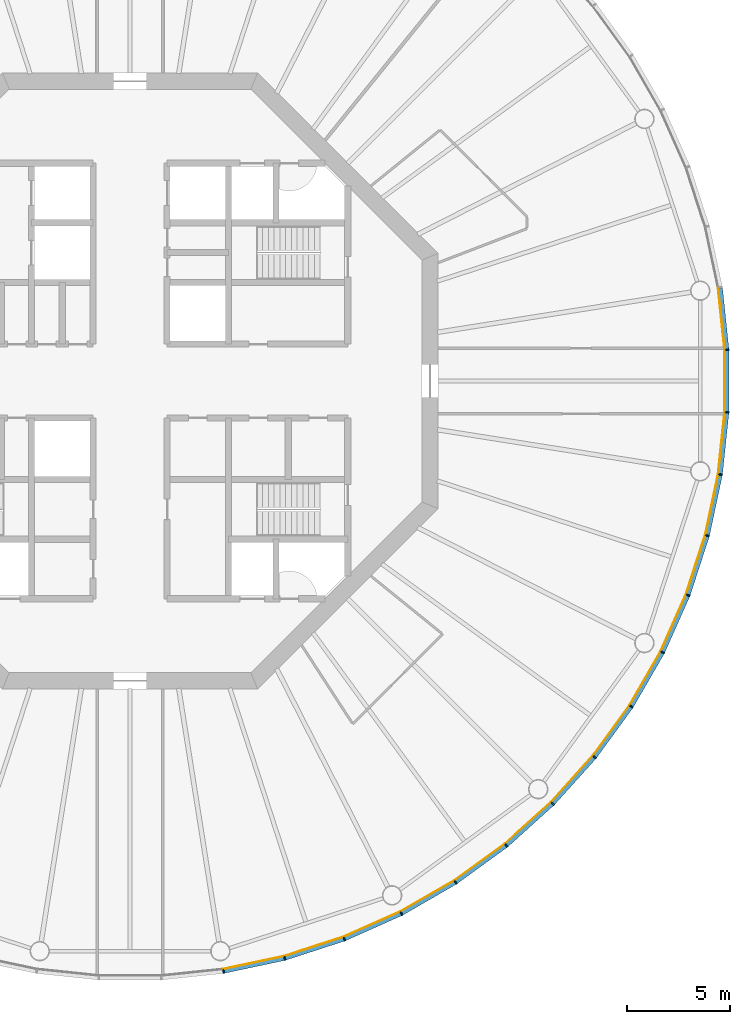
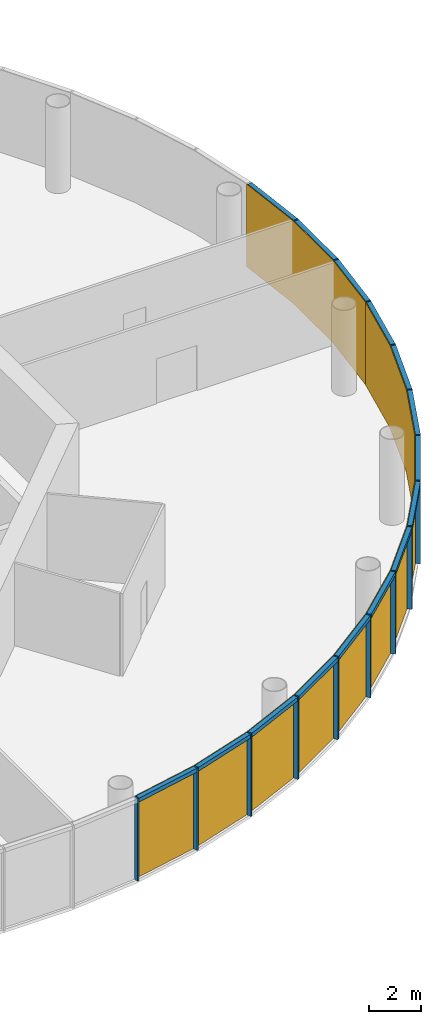
# One storey, part 9 of 13: 30 members, 5 curtain walls.
"""IFC4 building model written with IfcOpenShell, lengths in metres."""

from ifc_helpers import new_model, si_unit, direction, frame, origin, origin_2d, place, context, subcontext, project, spatial, polyline, rectangle, outline, extrude, material, layer, layer_set, material_profile, profile_set, type_object, element, aggregate, save


model = new_model("IFC4")

# Units and contexts
model_context = context("Model", 3, precision=1e-05, world=origin(), true_north=direction((0.0, 1.0)))
body_context = subcontext(model_context, "Body", "Model", "MODEL_VIEW")
ifc_project = project(units=[si_unit("LENGTHUNIT", "METRE"), si_unit("AREAUNIT", "SQUARE_METRE"), si_unit("VOLUMEUNIT", "CUBIC_METRE"), si_unit("PLANEANGLEUNIT", "RADIAN"), si_unit("MASSUNIT", "GRAM", prefix="KILO")], contexts=[model_context])

# Member
ifc_material_1 = material(Name="Anodised aluminium", Category="aluminium")
ifc_material_profile_1 = material_profile(ifc_material_1, rectangle(XDim=0.06494140625, YDim=0.195068359375, at=origin_2d()), Name="Mullion 65 x 195 mm anodised aluminium")
ifc_profile_set_1 = profile_set([ifc_material_profile_1], Name="Anodised aluminium")
member_type_1 = type_object("IfcMemberType", Name="Mullion 65 x 195 mm anodised aluminium", PredefinedType="MULLION", material=ifc_profile_set_1)
site_placement = place(None, origin())
building_placement = place(site_placement, origin())
storey_placement = place(building_placement, frame((0.0, 0.0, 282.0)))
member_1_placement = place(storey_placement, frame((94.5517578125, 51.2607421875, 0.0), z_axis=(0.0, 0.0, 1.0), x_axis=(0.987688340595, 0.15643446504, 0.0)))
member_1 = element("IfcMember", 1, at=member_1_placement, type_object=member_type_1, Name="MULLION L64-45", PredefinedType="MULLION", context=body_context, shape_type="SweptSolid", body=[
    extrude(rectangle(XDim=0.06494140625, YDim=0.195068359375, at=origin_2d()), origin(), (0.0, 0.0, 1.0), 3.85009765625),
])

member_2_placement = place(storey_placement, frame((97.531005859375, 51.89404296875, 0.0), z_axis=(0.0, 0.0, 1.0), x_axis=(0.965925826289, 0.258819045103, 0.0)))
member_2 = element("IfcMember", 2, at=member_2_placement, type_object=member_type_1, Name="MULLION L64-46", PredefinedType="MULLION", context=body_context, shape_type="SweptSolid", body=[
    extrude(rectangle(XDim=0.06494140625, YDim=0.195068359375, at=origin_2d()), origin(), (0.0, 0.0, 1.0), 3.85009765625),
])

member_3_placement = place(storey_placement, frame((100.427490234375, 52.835205078125, 0.0), z_axis=(0.0, 0.0, 1.0), x_axis=(0.933580426497, 0.358367949545, 0.0)))
member_3 = element("IfcMember", 3, at=member_3_placement, type_object=member_type_1, Name="MULLION L64-47", PredefinedType="MULLION", context=body_context, shape_type="SweptSolid", body=[
    extrude(rectangle(XDim=0.06494140625, YDim=0.195068359375, at=origin_2d()), origin(), (0.0, 0.0, 1.0), 3.85009765625),
])

member_4_placement = place(storey_placement, frame((103.2099609375, 54.073974609375, 0.0), z_axis=(0.0, 0.0, 1.0), x_axis=(0.891006524188, 0.45399049974, 0.0)))
member_4 = element("IfcMember", 4, at=member_4_placement, type_object=member_type_1, Name="MULLION L64-48", PredefinedType="MULLION", context=body_context, shape_type="SweptSolid", body=[
    extrude(rectangle(XDim=0.06494140625, YDim=0.195068359375, at=origin_2d()), origin(), (0.0, 0.0, 1.0), 3.85009765625),
])

member_5_placement = place(storey_placement, frame((105.84765625, 55.5966796875, 0.0), z_axis=(0.0, 0.0, 1.0), x_axis=(0.838670567945, 0.544639035015, 0.0)))
member_5 = element("IfcMember", 5, at=member_5_placement, type_object=member_type_1, Name="MULLION L64-49", PredefinedType="MULLION", context=body_context, shape_type="SweptSolid", body=[
    extrude(rectangle(XDim=0.06494140625, YDim=0.195068359375, at=origin_2d()), origin(), (0.0, 0.0, 1.0), 3.85009765625),
])

member_6_placement = place(storey_placement, frame((108.311767578125, 57.386962890625, 0.0), z_axis=(0.0, 0.0, 1.0), x_axis=(0.777145961457, 0.62932039105, 0.0)))
member_6 = element("IfcMember", 6, at=member_6_placement, type_object=member_type_1, Name="MULLION L64-50", PredefinedType="MULLION", context=body_context, shape_type="SweptSolid", body=[
    extrude(rectangle(XDim=0.06494140625, YDim=0.195068359375, at=origin_2d()), origin(), (0.0, 0.0, 1.0), 3.85009765625),
])

member_7_placement = place(storey_placement, frame((110.574951171875, 59.425048828125, 0.0), z_axis=(0.0, 0.0, 1.0), x_axis=(0.707106781187, 0.707106781187, 0.0)))
member_7 = element("IfcMember", 7, at=member_7_placement, type_object=member_type_1, Name="MULLION L64-51", PredefinedType="MULLION", context=body_context, shape_type="SweptSolid", body=[
    extrude(rectangle(XDim=0.06494140625, YDim=0.195068359375, at=origin_2d()), origin(), (0.0, 0.0, 1.0), 3.85009765625),
])

member_8_placement = place(storey_placement, frame((112.613037109375, 61.688232421875, 0.0), z_axis=(0.0, 0.0, 1.0), x_axis=(0.62932039105, 0.777145961457, 0.0)))
member_8 = element("IfcMember", 8, at=member_8_placement, type_object=member_type_1, Name="MULLION L64-52", PredefinedType="MULLION", context=body_context, shape_type="SweptSolid", body=[
    extrude(rectangle(XDim=0.06494140625, YDim=0.195068359375, at=origin_2d()), origin(), (0.0, 0.0, 1.0), 3.85009765625),
])

member_9_placement = place(storey_placement, frame((114.4033203125, 64.15234375, 0.0), z_axis=(0.0, 0.0, 1.0), x_axis=(0.544639035015, 0.838670567945, 0.0)))
member_9 = element("IfcMember", 9, at=member_9_placement, type_object=member_type_1, Name="MULLION L64-53", PredefinedType="MULLION", context=body_context, shape_type="SweptSolid", body=[
    extrude(rectangle(XDim=0.06494140625, YDim=0.195068359375, at=origin_2d()), origin(), (0.0, 0.0, 1.0), 3.85009765625),
])

member_10_placement = place(storey_placement, frame((115.926025390625, 66.7900390625, 0.0), z_axis=(0.0, 0.0, 1.0), x_axis=(0.45399049974, 0.891006524188, 0.0)))
member_10 = element("IfcMember", 10, at=member_10_placement, type_object=member_type_1, Name="MULLION L64-54", PredefinedType="MULLION", context=body_context, shape_type="SweptSolid", body=[
    extrude(rectangle(XDim=0.06494140625, YDim=0.195068359375, at=origin_2d()), origin(), (0.0, 0.0, 1.0), 3.85009765625),
])

member_11_placement = place(storey_placement, frame((117.164794921875, 69.572509765625, 0.0), z_axis=(0.0, 0.0, 1.0), x_axis=(0.358367949545, 0.933580426497, 0.0)))
member_11 = element("IfcMember", 11, at=member_11_placement, type_object=member_type_1, Name="MULLION L64-55", PredefinedType="MULLION", context=body_context, shape_type="SweptSolid", body=[
    extrude(rectangle(XDim=0.06494140625, YDim=0.195068359375, at=origin_2d()), origin(), (0.0, 0.0, 1.0), 3.85009765625),
])

member_12_placement = place(storey_placement, frame((118.10595703125, 72.468994140625, 0.0), z_axis=(0.0, 0.0, 1.0), x_axis=(0.258819045103, 0.965925826289, 0.0)))
member_12 = element("IfcMember", 12, at=member_12_placement, type_object=member_type_1, Name="MULLION L64-56", PredefinedType="MULLION", context=body_context, shape_type="SweptSolid", body=[
    extrude(rectangle(XDim=0.06494140625, YDim=0.195068359375, at=origin_2d()), origin(), (0.0, 0.0, 1.0), 3.85009765625),
])

member_13_placement = place(storey_placement, frame((118.7392578125, 75.4482421875, 0.0), z_axis=(0.0, 0.0, 1.0), x_axis=(0.15643446504, 0.987688340595, 0.0)))
member_13 = element("IfcMember", 13, at=member_13_placement, type_object=member_type_1, Name="MULLION L64-57", PredefinedType="MULLION", context=body_context, shape_type="SweptSolid", body=[
    extrude(rectangle(XDim=0.06494140625, YDim=0.195068359375, at=origin_2d()), origin(), (0.0, 0.0, 1.0), 3.85009765625),
])

member_14_placement = place(storey_placement, frame((119.0576171875, 78.47705078125, 0.0), z_axis=(0.0, 0.0, 1.0), x_axis=(0.052335956243, 0.998629534755, 0.0)))
member_14 = element("IfcMember", 14, at=member_14_placement, type_object=member_type_1, Name="MULLION L64-58", PredefinedType="MULLION", context=body_context, shape_type="SweptSolid", body=[
    extrude(rectangle(XDim=0.06494140625, YDim=0.195068359375, at=origin_2d()), origin(), (0.0, 0.0, 1.0), 3.85009765625),
])

member_15_placement = place(storey_placement, frame((119.0576171875, 81.52294921875, 0.0), z_axis=(0.0, 0.0, 1.0), x_axis=(-0.052335956243, 0.998629534755, 0.0)))
member_15 = element("IfcMember", 15, at=member_15_placement, type_object=member_type_1, Name="MULLION L64-59", PredefinedType="MULLION", context=body_context, shape_type="SweptSolid", body=[
    extrude(rectangle(XDim=0.06494140625, YDim=0.195068359375, at=origin_2d()), origin(), (0.0, 0.0, 1.0), 3.85009765625),
])

ifc_material_2 = material(Name="Anodised aluminium", Category="aluminium")
ifc_material_profile_2 = material_profile(ifc_material_2, rectangle(XDim=0.195068359375, YDim=0.179931640625, at=origin_2d()), Name="Transom 180 x 195 mm anodised aluminium")
ifc_profile_set_2 = profile_set([ifc_material_profile_2], Name="Anodised aluminium")
member_type_2 = type_object("IfcMemberType", Name="Transom 180 x 195 mm anodised aluminium", PredefinedType="USERDEFINED", material=ifc_profile_set_2)
member_16_placement = place(storey_placement, frame((94.588623046875, 51.268310546875, 3.760009765625), z_axis=(0.978141510112, 0.207940342877, 0.0), x_axis=(-0.207940342877, 0.978141510112, 0.0)))
member_16 = element("IfcMember", 16, at=member_16_placement, type_object=member_type_2, Name="TRANSOM L64-45", ObjectType="TRANSOM", PredefinedType="USERDEFINED", context=body_context, shape_type="SweptSolid", body=[
    extrude(rectangle(XDim=0.195068359375, YDim=0.179931640625, at=origin_2d()), origin(), (0.0, 0.0, 1.0), 2.970458984375),
])

member_17_placement = place(storey_placement, frame((97.56689453125, 51.905517578125, 3.760009765625), z_axis=(0.951047960094, 0.309043326415, 0.0), x_axis=(-0.309043326415, 0.951047960094, 0.0)))
member_17 = element("IfcMember", 17, at=member_17_placement, type_object=member_type_2, Name="TRANSOM L64-46", ObjectType="TRANSOM", PredefinedType="USERDEFINED", context=body_context, shape_type="SweptSolid", body=[
    extrude(rectangle(XDim=0.195068359375, YDim=0.179931640625, at=origin_2d()), origin(), (0.0, 0.0, 1.0), 2.970458984375),
])

member_18_placement = place(storey_placement, frame((100.4619140625, 52.850341796875, 3.760009765625), z_axis=(0.913550406593, 0.406725527369, 0.0), x_axis=(-0.406725527369, 0.913550406593, 0.0)))
member_18 = element("IfcMember", 18, at=member_18_placement, type_object=member_type_2, Name="TRANSOM L64-47", ObjectType="TRANSOM", PredefinedType="USERDEFINED", context=body_context, shape_type="SweptSolid", body=[
    extrude(rectangle(XDim=0.195068359375, YDim=0.179931640625, at=origin_2d()), origin(), (0.0, 0.0, 1.0), 2.970703125),
])

member_19_placement = place(storey_placement, frame((103.24267578125, 54.092529296875, 3.760009765625), z_axis=(0.866009025146, 0.500028367561, 0.0), x_axis=(-0.500028367561, 0.866009025146, 0.0)))
member_19 = element("IfcMember", 19, at=member_19_placement, type_object=member_type_2, Name="TRANSOM L64-48", ObjectType="TRANSOM", PredefinedType="USERDEFINED", context=body_context, shape_type="SweptSolid", body=[
    extrude(rectangle(XDim=0.195068359375, YDim=0.179931640625, at=origin_2d()), origin(), (0.0, 0.0, 1.0), 2.970458984375),
])

member_20_placement = place(storey_placement, frame((105.878173828125, 55.618896484375, 3.760009765625), z_axis=(0.809030990733, 0.587765987476, 0.0), x_axis=(-0.587765987476, 0.809030990733, 0.0)))
member_20 = element("IfcMember", 20, at=member_20_placement, type_object=member_type_2, Name="TRANSOM L64-49", ObjectType="TRANSOM", PredefinedType="USERDEFINED", context=body_context, shape_type="SweptSolid", body=[
    extrude(rectangle(XDim=0.195068359375, YDim=0.179931640625, at=origin_2d()), origin(), (0.0, 0.0, 1.0), 2.97021484375),
])

member_21_placement = place(storey_placement, frame((108.339599609375, 57.412109375, 3.760009765625), z_axis=(0.743163354343, 0.669110027395, 0.0), x_axis=(-0.669110027395, 0.743163354343, 0.0)))
member_21 = element("IfcMember", 21, at=member_21_placement, type_object=member_type_2, Name="TRANSOM L64-50", ObjectType="TRANSOM", PredefinedType="USERDEFINED", context=body_context, shape_type="SweptSolid", body=[
    extrude(rectangle(XDim=0.195068359375, YDim=0.179931640625, at=origin_2d()), origin(), (0.0, 0.0, 1.0), 2.970458984375),
])

member_22_placement = place(storey_placement, frame((110.600341796875, 59.452880859375, 3.760009765625), z_axis=(0.669110027395, 0.743163354343, 0.0), x_axis=(-0.743163354343, 0.669110027395, 0.0)))
member_22 = element("IfcMember", 22, at=member_22_placement, type_object=member_type_2, Name="TRANSOM L64-51", ObjectType="TRANSOM", PredefinedType="USERDEFINED", context=body_context, shape_type="SweptSolid", body=[
    extrude(rectangle(XDim=0.195068359375, YDim=0.179931640625, at=origin_2d()), origin(), (0.0, 0.0, 1.0), 2.970458984375),
])

member_23_placement = place(storey_placement, frame((112.63525390625, 61.71875, 3.760009765625), z_axis=(0.587765987476, 0.809030990733, 0.0), x_axis=(-0.809030990733, 0.587765987476, 0.0)))
member_23 = element("IfcMember", 23, at=member_23_placement, type_object=member_type_2, Name="TRANSOM L64-52", ObjectType="TRANSOM", PredefinedType="USERDEFINED", context=body_context, shape_type="SweptSolid", body=[
    extrude(rectangle(XDim=0.195068359375, YDim=0.179931640625, at=origin_2d()), origin(), (0.0, 0.0, 1.0), 2.97021484375),
])

member_24_placement = place(storey_placement, frame((114.422119140625, 64.184814453125, 3.760009765625), z_axis=(0.500028367561, 0.866009025146, 0.0), x_axis=(-0.866009025146, 0.500028367561, 0.0)))
member_24 = element("IfcMember", 24, at=member_24_placement, type_object=member_type_2, Name="TRANSOM L64-53", ObjectType="TRANSOM", PredefinedType="USERDEFINED", context=body_context, shape_type="SweptSolid", body=[
    extrude(rectangle(XDim=0.195068359375, YDim=0.179931640625, at=origin_2d()), origin(), (0.0, 0.0, 1.0), 2.970458984375),
])

member_25_placement = place(storey_placement, frame((115.94140625, 66.82421875, 3.760009765625), z_axis=(0.406725527369, 0.913550406593, 0.0), x_axis=(-0.913550406593, 0.406725527369, 0.0)))
member_25 = element("IfcMember", 25, at=member_25_placement, type_object=member_type_2, Name="TRANSOM L64-54", ObjectType="TRANSOM", PredefinedType="USERDEFINED", context=body_context, shape_type="SweptSolid", body=[
    extrude(rectangle(XDim=0.195068359375, YDim=0.179931640625, at=origin_2d()), origin(), (0.0, 0.0, 1.0), 2.970703125),
])

member_26_placement = place(storey_placement, frame((117.176513671875, 69.608154296875, 3.760009765625), z_axis=(0.309043326415, 0.951047960094, 0.0), x_axis=(-0.951047960094, 0.309043326415, 0.0)))
member_26 = element("IfcMember", 26, at=member_26_placement, type_object=member_type_2, Name="TRANSOM L64-55", ObjectType="TRANSOM", PredefinedType="USERDEFINED", context=body_context, shape_type="SweptSolid", body=[
    extrude(rectangle(XDim=0.195068359375, YDim=0.179931640625, at=origin_2d()), origin(), (0.0, 0.0, 1.0), 2.970458984375),
])

member_27_placement = place(storey_placement, frame((118.114013671875, 72.505859375, 3.760009765625), z_axis=(0.207940342877, 0.978141510112, 0.0), x_axis=(-0.978141510112, 0.207940342877, 0.0)))
member_27 = element("IfcMember", 27, at=member_27_placement, type_object=member_type_2, Name="TRANSOM L64-56", ObjectType="TRANSOM", PredefinedType="USERDEFINED", context=body_context, shape_type="SweptSolid", body=[
    extrude(rectangle(XDim=0.195068359375, YDim=0.179931640625, at=origin_2d()), origin(), (0.0, 0.0, 1.0), 2.970458984375),
])

member_28_placement = place(storey_placement, frame((118.743408203125, 75.485595703125, 3.760009765625), z_axis=(0.104466577987, 0.994528397827, 0.0), x_axis=(-0.994528397827, 0.104466577987, 0.0)))
member_28 = element("IfcMember", 28, at=member_28_placement, type_object=member_type_2, Name="TRANSOM L64-57", ObjectType="TRANSOM", PredefinedType="USERDEFINED", context=body_context, shape_type="SweptSolid", body=[
    extrude(rectangle(XDim=0.195068359375, YDim=0.179931640625, at=origin_2d()), origin(), (0.0, 0.0, 1.0), 2.970458984375),
])

member_29_placement = place(storey_placement, frame((119.057861328125, 78.5146484375, 3.760009765625), z_axis=(0.0, 1.0, 0.0), x_axis=(-1.0, 0.0, 0.0)))
member_29 = element("IfcMember", 29, at=member_29_placement, type_object=member_type_2, Name="TRANSOM L64-58", ObjectType="TRANSOM", PredefinedType="USERDEFINED", context=body_context, shape_type="SweptSolid", body=[
    extrude(rectangle(XDim=0.195068359375, YDim=0.179931640625, at=origin_2d()), origin(), (0.0, 0.0, 1.0), 2.970703125),
])

member_30_placement = place(storey_placement, frame((119.0537109375, 81.560302734375, 3.760009765625), z_axis=(-0.104466577987, 0.994528397827, 0.0), x_axis=(-0.994528397827, -0.104466577987, 0.0)))
member_30 = element("IfcMember", 30, at=member_30_placement, type_object=member_type_2, Name="TRANSOM L64-59", ObjectType="TRANSOM", PredefinedType="USERDEFINED", context=body_context, shape_type="SweptSolid", body=[
    extrude(rectangle(XDim=0.195068359375, YDim=0.179931640625, at=origin_2d()), origin(), (0.0, 0.0, 1.0), 2.970458984375),
])

# Site, building, storey
site = spatial("IfcSite", under=ifc_project, at=site_placement, CompositionType="ELEMENT")
building = spatial("IfcBuilding", under=site, at=building_placement, Name="Entoto Ring Tower", CompositionType="ELEMENT")
storey = spatial("IfcBuildingStorey", under=building, at=storey_placement, Name="L64", CompositionType="ELEMENT", Elevation=282.0)

# Curtain wall
ifc_material_3 = material(Name="Clear low-iron glass", Category="glass")
ifc_layer = layer(ifc_material_3, 0.033935546875)
ifc_layer_set = layer_set([ifc_layer], Name="Clear low-iron glass")
curtain_wall_type = type_object("IfcCurtainWallType", Name="Curtain wall system CW5 glazing 34 mm", PredefinedType="NOTDEFINED", material=ifc_layer_set)
curtain_wall_1_placement = place(storey_placement, origin())
curtain_wall_1 = element("IfcCurtainWall", 31, at=curtain_wall_1_placement, inside=storey, type_object=curtain_wall_type, Name="CW5 L64-16", PredefinedType="NOTDEFINED", context=body_context, shape_type="SweptSolid", body=[
    extrude(outline(polyline([(94.53662109375, 51.35693359375), (97.505859375, 51.988037109375), (100.392578125, 52.92626953125), (103.165771484375, 54.160888671875), (103.150146484375, 54.191162109375), (100.38037109375, 52.9580078125), (97.496826171875, 52.02099609375), (94.53125, 51.390625), (94.53662109375, 51.35693359375)])), origin(), (0.0, 0.0, 1.0), 3.85009765625),
])

aggregate(curtain_wall_1, [member_1, member_2, member_3, member_16, member_17, member_18])

curtain_wall_2_placement = place(storey_placement, origin())
curtain_wall_2 = element("IfcCurtainWall", 32, at=curtain_wall_2_placement, inside=storey, type_object=curtain_wall_type, Name="CW5 L64-17", PredefinedType="NOTDEFINED", context=body_context, shape_type="SweptSolid", body=[
    extrude(outline(polyline([(103.165771484375, 54.160888671875), (105.79443359375, 55.678466796875), (108.250244140625, 57.462646484375), (110.506103515625, 59.493896484375), (110.48193359375, 59.51806640625), (108.228759765625, 57.4892578125), (105.77587890625, 55.70703125), (103.150146484375, 54.191162109375), (103.165771484375, 54.160888671875)])), origin(), (0.0, 0.0, 1.0), 3.85009765625),
])

aggregate(curtain_wall_2, [member_4, member_5, member_6, member_19, member_20, member_21])

curtain_wall_3_placement = place(storey_placement, origin())
curtain_wall_3 = element("IfcCurtainWall", 33, at=curtain_wall_3_placement, inside=storey, type_object=curtain_wall_type, Name="CW5 L64-18", PredefinedType="NOTDEFINED", context=body_context, shape_type="SweptSolid", body=[
    extrude(outline(polyline([(110.506103515625, 59.493896484375), (112.537353515625, 61.749755859375), (114.321533203125, 64.20556640625), (115.839111328125, 66.834228515625), (115.808837890625, 66.849853515625), (114.29296875, 64.22412109375), (112.5107421875, 61.771240234375), (110.48193359375, 59.51806640625), (110.506103515625, 59.493896484375)])), origin(), (0.0, 0.0, 1.0), 3.85009765625),
])

aggregate(curtain_wall_3, [member_7, member_8, member_9, member_22, member_23, member_24])

curtain_wall_4_placement = place(storey_placement, origin())
curtain_wall_4 = element("IfcCurtainWall", 34, at=curtain_wall_4_placement, inside=storey, type_object=curtain_wall_type, Name="CW5 L64-19", PredefinedType="NOTDEFINED", context=body_context, shape_type="SweptSolid", body=[
    extrude(outline(polyline([(115.839111328125, 66.834228515625), (117.07373046875, 69.607421875), (118.011962890625, 72.494140625), (118.64306640625, 75.46337890625), (118.609375, 75.46875), (117.97900390625, 72.503173828125), (117.0419921875, 69.61962890625), (115.808837890625, 66.849853515625), (115.839111328125, 66.834228515625)])), origin(), (0.0, 0.0, 1.0), 3.85009765625),
])

aggregate(curtain_wall_4, [member_10, member_11, member_12, member_25, member_26, member_27])

curtain_wall_5_placement = place(storey_placement, origin())
curtain_wall_5 = element("IfcCurtainWall", 35, at=curtain_wall_5_placement, inside=storey, type_object=curtain_wall_type, Name="CW5 L64-20", PredefinedType="NOTDEFINED", context=body_context, shape_type="SweptSolid", body=[
    extrude(outline(polyline([(118.64306640625, 75.46337890625), (118.960205078125, 78.482177734375), (118.960205078125, 81.517822265625), (118.64306640625, 84.53662109375), (118.609375, 84.53125), (118.92626953125, 81.515869140625), (118.92626953125, 78.484130859375), (118.609375, 75.46875), (118.64306640625, 75.46337890625)])), origin(), (0.0, 0.0, 1.0), 3.85009765625),
])

aggregate(curtain_wall_5, [member_13, member_14, member_15, member_28, member_29, member_30])

save(model, "model.ifc")
